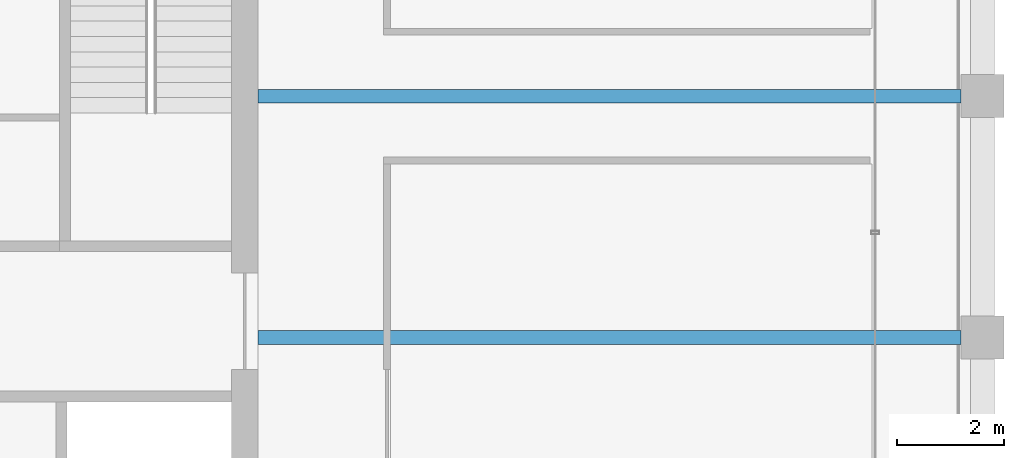
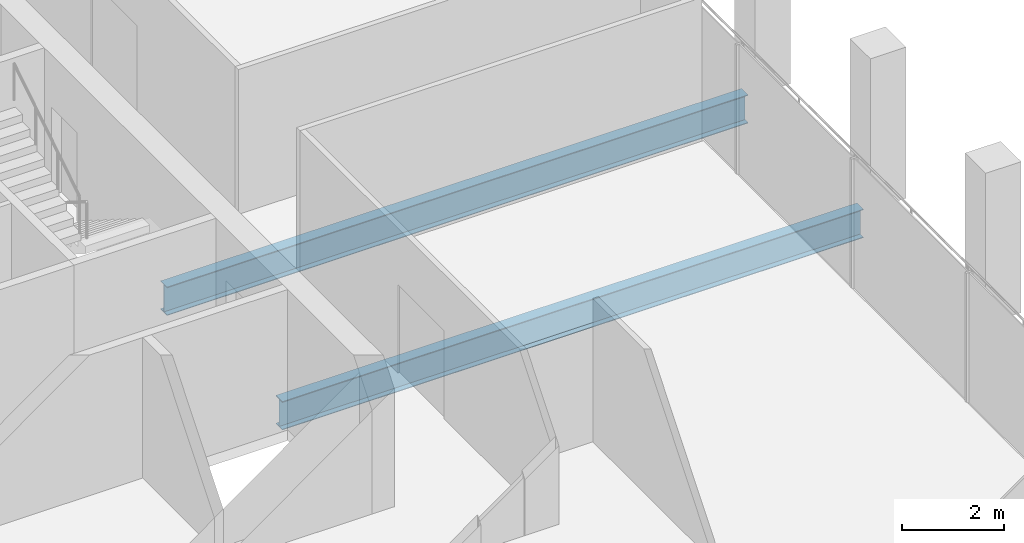
# One storey, part 16 of 30: 2 beams.
"""IFC4 building model written with IfcOpenShell, lengths in metres."""

from ifc_helpers import new_model, si_unit, direction, frame, origin, origin_2d, place, context, subcontext, project, spatial, i_section, extrude, material, material_profile, profile_set, type_object, element, save


model = new_model("IFC4")

# Units and contexts
model_context = context("Model", 3, precision=1e-05, world=origin(), true_north=direction((0.0, 1.0)))
body_context = subcontext(model_context, "Body", "Model", "MODEL_VIEW")
ifc_project = project(units=[si_unit("LENGTHUNIT", "METRE"), si_unit("AREAUNIT", "SQUARE_METRE"), si_unit("VOLUMEUNIT", "CUBIC_METRE"), si_unit("PLANEANGLEUNIT", "RADIAN"), si_unit("MASSUNIT", "GRAM", prefix="KILO")], contexts=[model_context])

# Site, building, storey
site_placement = place(None, origin())
site = spatial("IfcSite", under=ifc_project, at=site_placement, CompositionType="ELEMENT")
building_placement = place(site_placement, origin())
building = spatial("IfcBuilding", under=site, at=building_placement, Name="Altepetl Exchange Towers", CompositionType="ELEMENT")
storey_placement = place(building_placement, frame((0.0, 0.0, 217.199951171875)))
storey = spatial("IfcBuildingStorey", under=building, at=storey_placement, Name="L55", CompositionType="ELEMENT", Elevation=217.199951171875)

# Beams
ifc_material = material(Name="Steel S355", Category="steel")
ifc_material_profile = material_profile(ifc_material, i_section(OverallWidth=0.2529296875, OverallDepth=0.677978515625, WebThickness=0.01171875, FlangeThickness=0.016357421875, at=origin_2d()), Name="W27X84")
ifc_profile_set = profile_set([ifc_material_profile], Name="Steel S355")
beam_type = type_object("IfcBeamType", Name="Floor beam W27X84", PredefinedType="BEAM", material=ifc_profile_set)
for number, where, z_axis, x_axis, name in (
    (1, (58.5, 45.0, -0.489013671875), (1.0, 0.0, 0.0), (0.0, 1.0, 0.0), "bm:A:L55:009"),
    (2, (58.5, 49.5, -0.489013671875), (1.0, 0.0, 0.0), (0.0, 1.0, 0.0), "bm:A:L55:010"),
):
    element("IfcBeam", number, at=place(storey_placement, frame(where, z_axis=z_axis, x_axis=x_axis)), inside=storey, type_object=beam_type, Name=name, PredefinedType="BEAM", context=body_context, shape_type="SweptSolid", body=[
        extrude(i_section(OverallWidth=0.2529296875, OverallDepth=0.677978515625, WebThickness=0.01171875, FlangeThickness=0.016357421875, at=origin_2d()), origin(), (0.0, 0.0, 1.0), 13.10009765625),
    ])

save(model, "model.ifc")
